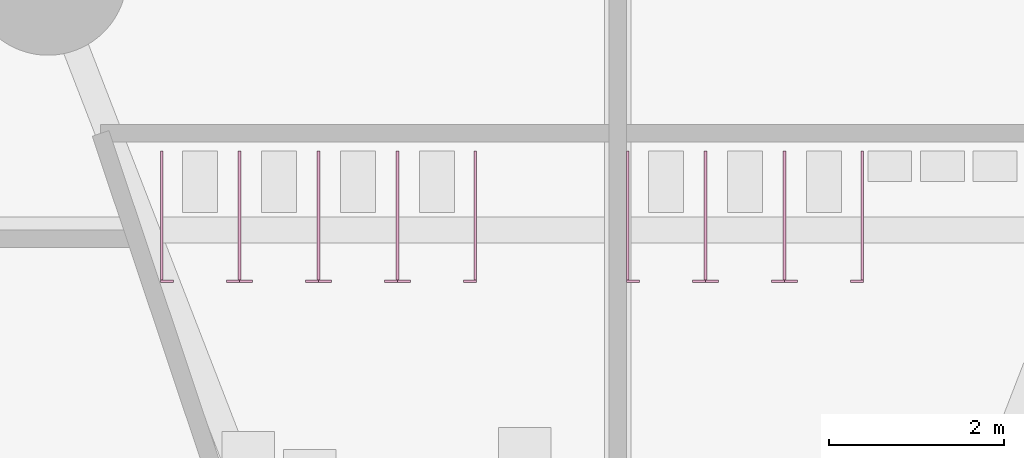
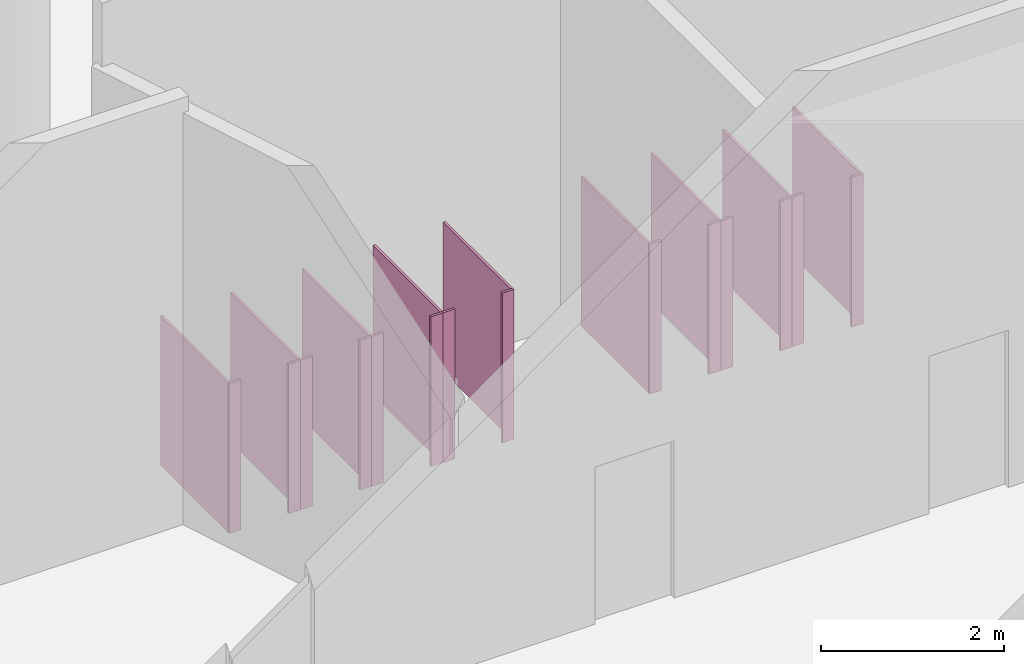
# One storey, part 22 of 22: 23 furniture elements.
"""IFC4 building model written with IfcOpenShell, lengths in metres."""

from ifc_helpers import new_model, si_unit, direction, frame, origin, origin_2d, place, context, subcontext, project, spatial, rectangle, extrude, element, save


model = new_model("IFC4")

# Units and contexts
model_context = context("Model", 3, precision=1e-05, world=origin(), true_north=direction((0.0, 1.0)))
body_context = subcontext(model_context, "Body", "Model", "MODEL_VIEW")
ifc_project = project(units=[si_unit("LENGTHUNIT", "METRE"), si_unit("AREAUNIT", "SQUARE_METRE"), si_unit("VOLUMEUNIT", "CUBIC_METRE"), si_unit("PLANEANGLEUNIT", "RADIAN"), si_unit("MASSUNIT", "GRAM", prefix="KILO")], contexts=[model_context])

# Site, building, storey
site_placement = place(None, origin())
site = spatial("IfcSite", under=ifc_project, at=site_placement, CompositionType="ELEMENT")
building_placement = place(site_placement, origin())
building = spatial("IfcBuilding", under=site, at=building_placement, Name="Hankou Lantern Tower", CompositionType="ELEMENT")
storey_placement = place(building_placement, frame((0.0, 0.0, 7.199951171875)))
storey = spatial("IfcBuildingStorey", under=building, at=storey_placement, Name="L01", CompositionType="ELEMENT", Elevation=7.199951171875)

# Furniture
for number, where, z_axis, x_axis, name in (
    (1, (0.114990234375, 16.6650390625, 0.0), (0.0, 0.0, 1.0), (1.0, 0.0, 0.0), "Male WC cubicle partition 1"),
    (2, (1.0, 16.6650390625, 0.0), (0.0, 0.0, 1.0), (1.0, 0.0, 0.0), "Male WC cubicle partition 2"),
    (3, (1.89990234375, 16.6650390625, 0.0), (0.0, 0.0, 1.0), (1.0, 0.0, 0.0), "Male WC cubicle partition 3"),
    (4, (2.784912109375, 16.6650390625, 0.0), (0.0, 0.0, 1.0), (1.0, 0.0, 0.0), "Male WC cubicle partition 4"),
):
    element("IfcFurniture", number, at=place(storey_placement, frame(where, z_axis=z_axis, x_axis=x_axis)), inside=storey, Name=name, ObjectType="WC cubicle partition", PredefinedType="USERDEFINED", context=body_context, shape_type="SweptSolid", body=[
        extrude(rectangle(XDim=0.030029296875, YDim=1.469970703125, at=origin_2d()), origin(), (0.0, 0.0, 1.0), 2.0),
    ])
for number, where, z_axis, x_axis, name in (
    (5, (0.175048828125, 15.9150390625, 0.0), (0.0, 0.0, 1.0), (1.0, 0.0, 0.0), "Male WC cubicle partition 5"),
    (6, (0.925048828125, 15.9150390625, 0.0), (0.0, 0.0, 1.0), (1.0, 0.0, 0.0), "Male WC cubicle partition 6"),
    (7, (1.074951171875, 15.9150390625, 0.0), (0.0, 0.0, 1.0), (1.0, 0.0, 0.0), "Male WC cubicle partition 7"),
    (8, (1.824951171875, 15.9150390625, 0.0), (0.0, 0.0, 1.0), (1.0, 0.0, 0.0), "Male WC cubicle partition 8"),
    (9, (1.97509765625, 15.9150390625, 0.0), (0.0, 0.0, 1.0), (1.0, 0.0, 0.0), "Male WC cubicle partition 9"),
    (10, (2.72509765625, 15.9150390625, 0.0), (0.0, 0.0, 1.0), (1.0, 0.0, 0.0), "Male WC cubicle partition 10"),
):
    element("IfcFurniture", number, at=place(storey_placement, frame(where, z_axis=z_axis, x_axis=x_axis)), inside=storey, Name=name, ObjectType="WC cubicle partition", PredefinedType="USERDEFINED", context=body_context, shape_type="SweptSolid", body=[
        extrude(rectangle(XDim=0.14990234375, YDim=0.030029296875, at=origin_2d()), origin(), (0.0, 0.0, 1.0), 2.0),
    ])
for number, where, z_axis, x_axis, name in (
    (11, (-5.1962890625, 16.6650390625, 0.0), (0.0, 0.0, 1.0), (1.0, 0.0, 0.0), "Female WC cubicle partition 1"),
    (12, (-4.311279296875, 16.6650390625, 0.0), (0.0, 0.0, 1.0), (1.0, 0.0, 0.0), "Female WC cubicle partition 2"),
    (13, (-3.411376953125, 16.6650390625, 0.0), (0.0, 0.0, 1.0), (1.0, 0.0, 0.0), "Female WC cubicle partition 3"),
    (14, (-2.511474609375, 16.6650390625, 0.0), (0.0, 0.0, 1.0), (1.0, 0.0, 0.0), "Female WC cubicle partition 4"),
    (15, (-1.62646484375, 16.6650390625, 0.0), (0.0, 0.0, 1.0), (1.0, 0.0, 0.0), "Female WC cubicle partition 5"),
):
    element("IfcFurniture", number, at=place(storey_placement, frame(where, z_axis=z_axis, x_axis=x_axis)), inside=storey, Name=name, ObjectType="WC cubicle partition", PredefinedType="USERDEFINED", context=body_context, shape_type="SweptSolid", body=[
        extrude(rectangle(XDim=0.030029296875, YDim=1.469970703125, at=origin_2d()), origin(), (0.0, 0.0, 1.0), 2.0),
    ])
for number, where, z_axis, x_axis, name in (
    (16, (-5.136474609375, 15.9150390625, 0.0), (0.0, 0.0, 1.0), (1.0, 0.0, 0.0), "Female WC cubicle partition 6"),
    (17, (-4.386474609375, 15.9150390625, 0.0), (0.0, 0.0, 1.0), (1.0, 0.0, 0.0), "Female WC cubicle partition 7"),
    (18, (-4.236328125, 15.9150390625, 0.0), (0.0, 0.0, 1.0), (1.0, 0.0, 0.0), "Female WC cubicle partition 8"),
    (19, (-3.486328125, 15.9150390625, 0.0), (0.0, 0.0, 1.0), (1.0, 0.0, 0.0), "Female WC cubicle partition 9"),
    (20, (-3.33642578125, 15.9150390625, 0.0), (0.0, 0.0, 1.0), (1.0, 0.0, 0.0), "Female WC cubicle partition 10"),
    (21, (-2.58642578125, 15.9150390625, 0.0), (0.0, 0.0, 1.0), (1.0, 0.0, 0.0), "Female WC cubicle partition 11"),
    (22, (-2.436279296875, 15.9150390625, 0.0), (0.0, 0.0, 1.0), (1.0, 0.0, 0.0), "Female WC cubicle partition 12"),
    (23, (-1.686279296875, 15.9150390625, 0.0), (0.0, 0.0, 1.0), (1.0, 0.0, 0.0), "Female WC cubicle partition 13"),
):
    element("IfcFurniture", number, at=place(storey_placement, frame(where, z_axis=z_axis, x_axis=x_axis)), inside=storey, Name=name, ObjectType="WC cubicle partition", PredefinedType="USERDEFINED", context=body_context, shape_type="SweptSolid", body=[
        extrude(rectangle(XDim=0.14990234375, YDim=0.030029296875, at=origin_2d()), origin(), (0.0, 0.0, 1.0), 2.0),
    ])

save(model, "model.ifc")
